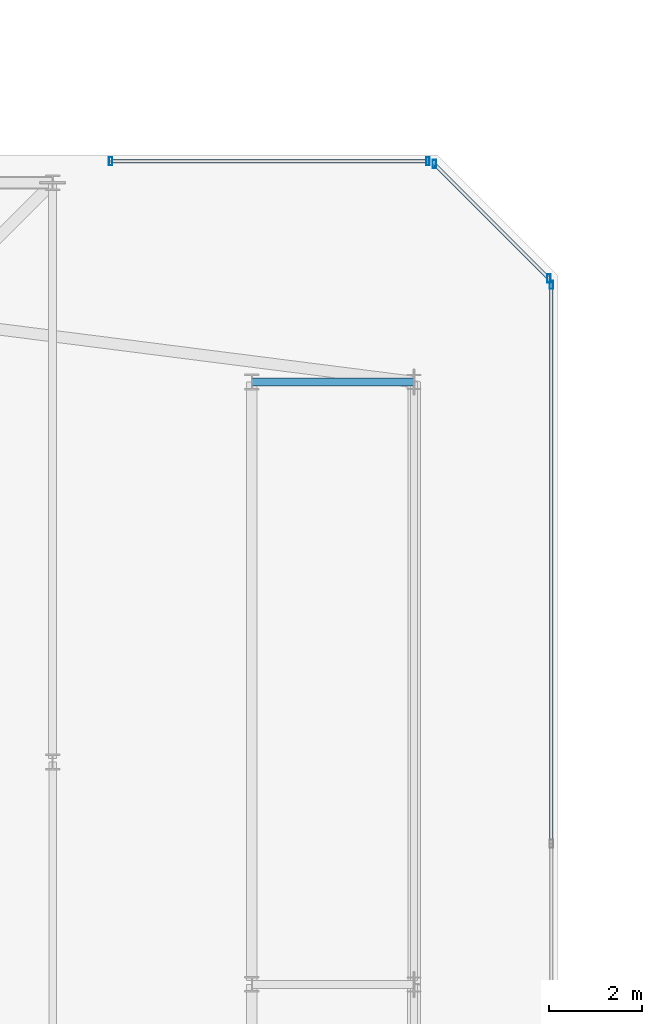
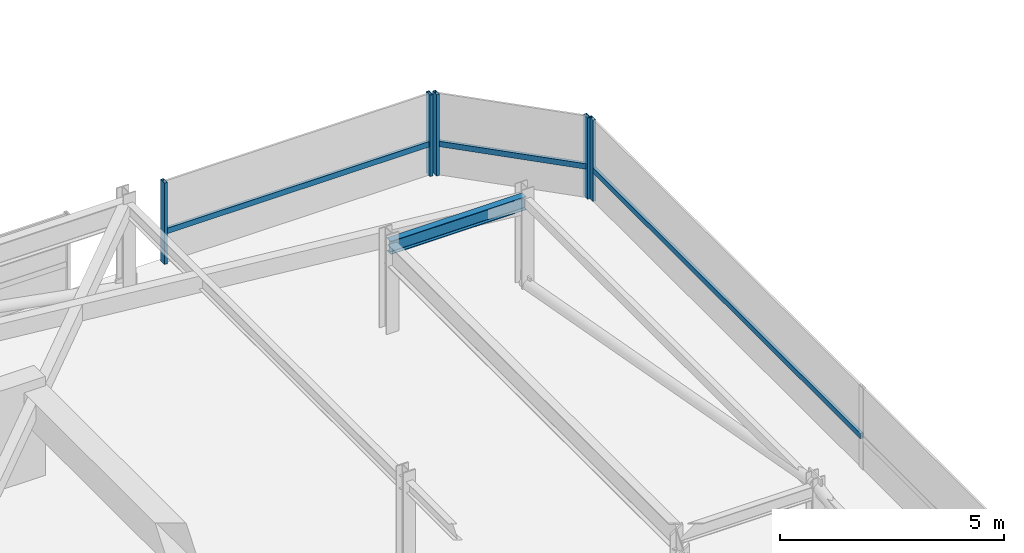
# One storey, part 25 of 42: 8 members, 1 beam, 3 elements without a shape of their own.
"""IFC4 building model written with IfcOpenShell, lengths in metres."""

import ifcopenshell
import ifcopenshell.guid

model = None  # the IFC model being written
_history = None  # IfcOwnerHistory: only IFC2X3 demands one
_inside = {}  # id of a spatial element -> (the spatial element, [elements in it])
_under = {}  # id of a project, library or spatial element -> (it, [spatial elements below it])
_declared = {}  # id of a project -> (the project, [libraries it declares])
_typed = {}  # id of a type object -> (the type object, [elements of that type])
_made_of = {}  # id of a material, layer set ... -> (it, [elements and type objects made of it])


def new_model(schema):
    """Start an empty IFC model of exactly this schema.

    Asked for "IFC4X3", IfcOpenShell would pick the latest addendum, in which some entities
    have other attributes; the version numbers below select the first issue.
    IFC2X3 requires an IfcOwnerHistory on every rooted entity: one is made here for all.
    """
    global model, _history
    if schema == "IFC4X3":
        model = ifcopenshell.file(schema_version=(4, 3, 0, 0))
    else:
        model = ifcopenshell.file(schema=schema)
    _inside.clear()
    _under.clear()
    _declared.clear()
    _typed.clear()
    _made_of.clear()
    _history = None
    if model.schema == "IFC2X3":
        org = make("IfcOrganization", Name="unknown")
        user = make(
            "IfcPersonAndOrganization",
            ThePerson=make("IfcPerson", FamilyName="unknown"),
            TheOrganization=org,
        )
        app = make(
            "IfcApplication",
            ApplicationDeveloper=org,
            Version="unknown",
            ApplicationFullName="unknown",
            ApplicationIdentifier="unknown",
        )
        _history = make(
            "IfcOwnerHistory",
            OwningUser=user,
            OwningApplication=app,
            ChangeAction="ADDED",
            CreationDate=0,
        )
    return model


def make(cls, **values):
    """One entity of the class cls with the attributes given. An attribute that is None is left unset."""
    return model.create_entity(
        cls, **{name: value for name, value in values.items() if value is not None}
    )


def rooted(cls, **values):
    """An entity with a GlobalId (a new one), such as an element, a storey or a relation."""
    return make(cls, GlobalId=ifcopenshell.guid.new(), OwnerHistory=_history, **values)


def si_unit(unit_type, name, prefix=None):
    """IfcSIUnit, for example si_unit("LENGTHUNIT", "METRE", prefix="MILLI")."""
    return make("IfcSIUnit", UnitType=unit_type, Prefix=prefix, Name=name)


def assignment(units):
    """IfcUnitAssignment: the units of a project."""
    return None if units is None else make("IfcUnitAssignment", Units=units)


def point(xyz):
    """IfcCartesianPoint."""
    return None if xyz is None else make("IfcCartesianPoint", Coordinates=xyz)


def direction(xyz):
    """IfcDirection."""
    return None if xyz is None else make("IfcDirection", DirectionRatios=xyz)


def frame(location, z_axis=None, x_axis=None):
    """IfcAxis2Placement3D, a coordinate frame: its origin and axes. An axis left out is left unset."""
    return make(
        "IfcAxis2Placement3D",
        Location=point(location),
        Axis=direction(z_axis),
        RefDirection=direction(x_axis),
    )


def frame_2d(location, x_axis=None):
    """IfcAxis2Placement2D, a coordinate frame in the plane: its origin and x axis."""
    return make(
        "IfcAxis2Placement2D", Location=point(location), RefDirection=direction(x_axis)
    )


def origin():
    """The frame at (0, 0, 0) with its axes left unset."""
    return frame((0.0, 0.0, 0.0))


def origin_2d():
    """The frame at (0, 0) in the plane with its x axis left unset."""
    return frame_2d((0.0, 0.0))


def place(relative_to, where):
    """IfcLocalPlacement: puts the frame where relative to a parent placement (None: the world)."""
    return make(
        "IfcLocalPlacement", PlacementRelTo=relative_to, RelativePlacement=where
    )


def context(
    kind, dimensions, precision=None, world=None, true_north=None, identifier=None
):
    """IfcGeometricRepresentationContext, for example the 3D "Model" context."""
    return make(
        "IfcGeometricRepresentationContext",
        ContextIdentifier=identifier,
        ContextType=kind,
        CoordinateSpaceDimension=dimensions,
        Precision=precision,
        WorldCoordinateSystem=world,
        TrueNorth=true_north,
    )


def subcontext(parent, identifier, kind, view, scale=None):
    """IfcGeometricRepresentationSubContext, for example "Body" below "Model"."""
    return make(
        "IfcGeometricRepresentationSubContext",
        ContextIdentifier=identifier,
        ContextType=kind,
        ParentContext=parent,
        TargetScale=scale,
        TargetView=view,
    )


def project(units=None, contexts=None):
    """IfcProject with its units and contexts."""
    return rooted(
        "IfcProject",
        Name="project",
        RepresentationContexts=contexts,
        UnitsInContext=assignment(units),
    )


def spatial(cls, under=None, at=None, **own):
    """A site, building, storey or space (cls), placed at a placement, below another one or the project."""
    s = rooted(cls, ObjectPlacement=at, **own)
    if under is not None:
        _under.setdefault(under.id(), (under, []))[1].append(s)
    return s


def profile(cls, at=None, kind="AREA", **sizes):
    """A parametric profile (cls). Its sizes go by their IFC names, for example OverallWidth=200.0."""
    return make(cls, ProfileType=kind, Position=at, **sizes)


def hollow_rectangle(**sizes):
    """IfcRectangleHollowProfileDef."""
    return profile("IfcRectangleHollowProfileDef", **sizes)


def i_section(**sizes):
    """IfcIShapeProfileDef."""
    return profile("IfcIShapeProfileDef", **sizes)


def extrude(swept, where, along, depth):
    """IfcExtrudedAreaSolid: the profile swept, set in the frame where, extruded along a direction by depth."""
    return make(
        "IfcExtrudedAreaSolid",
        SweptArea=swept,
        Position=where,
        ExtrudedDirection=direction(along),
        Depth=depth,
    )


def shape(context_of_items, identifier, shape_type, items):
    """IfcShapeRepresentation: the items that make up one representation, for example the "Body"."""
    return make(
        "IfcShapeRepresentation",
        ContextOfItems=context_of_items,
        RepresentationIdentifier=identifier,
        RepresentationType=shape_type,
        Items=items,
    )


def material(Name=None, Category=None):
    """IfcMaterial."""
    return make("IfcMaterial", Name=Name, Category=Category)


def material_profile(
    of_material, cross_section, Name=None, Category=None, Priority=None
):
    """IfcMaterialProfile: a cross section and its material."""
    return make(
        "IfcMaterialProfile",
        Name=Name,
        Material=of_material,
        Profile=cross_section,
        Priority=Priority,
        Category=Category,
    )


def profile_set(profiles, Name=None, composite=None):
    """IfcMaterialProfileSet."""
    return make(
        "IfcMaterialProfileSet",
        Name=Name,
        MaterialProfiles=profiles,
        CompositeProfile=composite,
    )


def made_of(thing, what):
    """Note that an element or type object is made of a material, layer set ...; save() writes the relation."""
    if what is not None:
        _made_of.setdefault(what.id(), (what, []))[1].append(thing)
    return thing


def type_object(cls, material=None, **own):
    """A type object (cls), such as IfcWallType, which elements share."""
    return made_of(rooted(cls, **own), material)


def element(
    cls,
    number,
    at=None,
    inside=None,
    cuts=None,
    type_object=None,
    material=None,
    context=None,
    identifier="Body",
    shape_type=None,
    held_by="IfcProductDefinitionShape",
    body=None,
    shapes=None,
    **own,
):
    """One element of the class cls, such as IfcWall. Its Tag is "e" and its number.

    at: its placement. inside: the storey or other place that contains it. cuts: it is an
    opening in that element (IfcRelVoidsElement). A single representation is given by context,
    identifier, shape_type and body (its items); several are given by shapes. held_by: the class
    of the entity that holds the representations. save() writes the other relations.
    """
    e = rooted(cls, Tag="e%d" % number, ObjectPlacement=at, **own)
    if body is not None:
        shapes = [shape(context, identifier, shape_type, body)]
    if shapes is not None:
        e.Representation = make(held_by, Representations=shapes)
    if inside is not None:
        _inside.setdefault(inside.id(), (inside, []))[1].append(e)
    if cuts is not None:
        rooted(
            "IfcRelVoidsElement", RelatingBuildingElement=cuts, RelatedOpeningElement=e
        )
    if type_object is not None:
        _typed.setdefault(type_object.id(), (type_object, []))[1].append(e)
    return made_of(e, material)


def aggregate(whole, parts):
    """IfcRelAggregates: a whole, such as a stair, and the parts it consists of."""
    return rooted("IfcRelAggregates", RelatingObject=whole, RelatedObjects=parts)


def save(model, path):
    """Write the relations noted so far, then the file.

    IfcRelAggregates (storeys below a building ...), IfcRelContainedInSpatialStructure (elements
    in a storey), IfcRelDefinesByType, IfcRelAssociatesMaterial and IfcRelDeclares: one each for
    every whole, place, type object, material and project.
    """
    for whole, parts in _under.values():
        aggregate(whole, parts)
    for where, things in _inside.values():
        rooted(
            "IfcRelContainedInSpatialStructure",
            RelatedElements=things,
            RelatingStructure=where,
        )
    for kind, things in _typed.values():
        rooted("IfcRelDefinesByType", RelatedObjects=things, RelatingType=kind)
    for what, things in _made_of.values():
        rooted("IfcRelAssociatesMaterial", RelatedObjects=things, RelatingMaterial=what)
    for by, libraries in _declared.values():
        rooted("IfcRelDeclares", RelatingContext=by, RelatedDefinitions=libraries)
    model.write(path)


model = new_model("IFC4")

# Units and contexts
model_context = context("Model", 3, precision=1e-05, world=origin(), true_north=direction((0.0, 1.0)))
body_context = subcontext(model_context, "Body", "Model", "MODEL_VIEW")
ifc_project = project(units=[si_unit("LENGTHUNIT", "METRE"), si_unit("AREAUNIT", "SQUARE_METRE"), si_unit("VOLUMEUNIT", "CUBIC_METRE"), si_unit("PLANEANGLEUNIT", "RADIAN"), si_unit("MASSUNIT", "GRAM", prefix="KILO")], contexts=[model_context])

# Site, building, storey
site_placement = place(None, origin())
site = spatial("IfcSite", under=ifc_project, at=site_placement, CompositionType="ELEMENT")
building_placement = place(site_placement, origin())
building = spatial("IfcBuilding", under=site, at=building_placement, Name="Thornwick Lancets Civic Towers", CompositionType="ELEMENT")
storey_placement = place(building_placement, frame((0.0, 0.0, 286.800048828125)))
storey = spatial("IfcBuildingStorey", under=building, at=storey_placement, Name="C03", CompositionType="ELEMENT", Elevation=286.800048828125)

# Beam
ifc_material_1 = material(Name="Steel S355JR", Category="steel")
ifc_material_profile_1 = material_profile(ifc_material_1, i_section(OverallWidth=0.173095703125, OverallDepth=0.36328125, WebThickness=0.009033203125, FlangeThickness=0.015625, FilletRadius=0.01025390625, at=origin_2d()), Name="UKB 356x171x67")
ifc_profile_set_1 = profile_set([ifc_material_profile_1], Name="Steel S355JR")
beam_type = type_object("IfcBeamType", Name="BM_JOIST_356_67", PredefinedType="JOIST", material=ifc_profile_set_1)
beam_placement = place(storey_placement, frame((42.800048828125, 40.0, 2.25830078125), z_axis=(1.0, 0.0, 0.0), x_axis=(0.0, 1.0, 0.0)))
element("IfcBeam", 1, at=beam_placement, inside=storey, type_object=beam_type, Name="BM-RAD-C03-A06", PredefinedType="JOIST", context=body_context, shape_type="SweptSolid", body=[
    extrude(i_section(OverallWidth=0.173095703125, OverallDepth=0.36328125, WebThickness=0.009033203125, FlangeThickness=0.015625, FilletRadius=0.01025390625, at=origin_2d()), origin(), (0.0, 0.0, 1.0), 3.5),
])

# Curtain wall, member
ifc_material_2 = material(Name="Crown ring acoustic-louvre and glazing screen wall", Category="glass")
curtain_wall_type = type_object("IfcCurtainWallType", Name="CW_SYS_07", PredefinedType="NOTDEFINED", material=ifc_material_2)
curtain_wall_1_placement = place(storey_placement, origin())
curtain_wall_1 = element("IfcCurtainWall", 2, at=curtain_wall_1_placement, inside=storey, type_object=curtain_wall_type, Name="C03 Curtain Wall CW-C03-A-E2", PredefinedType="NOTDEFINED")
ifc_material_3 = material(Name="Thermally broken bronze aluminium S355", Category="steel")
ifc_material_profile_2 = material_profile(ifc_material_3, hollow_rectangle(XDim=0.074951171875, YDim=0.179931640625, WallThickness=0.006103515625, at=origin_2d()), Name="RHS 180x75x6")
ifc_profile_set_2 = profile_set([ifc_material_profile_2], Name="Thermally broken bronze aluminium S355")
member_type_1 = type_object("IfcMemberType", Name="CW_MUL_180", PredefinedType="MULLION", material=ifc_profile_set_2)
member_1_placement = place(storey_placement, frame((49.2646484375, 42.101318359375, 0.0), z_axis=(0.0, 0.0, 1.0), x_axis=(1.0, 0.0, 0.0)))
member_1 = element("IfcMember", 3, at=member_1_placement, type_object=member_type_1, Name="CW-C03-A-E2 Mullion 3", PredefinedType="MULLION", context=body_context, shape_type="SweptSolid", body=[
    extrude(hollow_rectangle(XDim=0.074951171875, YDim=0.179931640625, WallThickness=0.006103515625, at=origin_2d()), origin(), (0.0, 0.0, 1.0), 2.219970703125),
])

# Curtain wall, members
curtain_wall_2_placement = place(storey_placement, origin())
curtain_wall_2 = element("IfcCurtainWall", 4, at=curtain_wall_2_placement, inside=storey, type_object=curtain_wall_type, Name="C03 Curtain Wall CW-C03-A-E3", PredefinedType="NOTDEFINED")
member_2_placement = place(storey_placement, frame((49.2080078125, 42.238037109375, 0.0), z_axis=(0.0, 0.0, 1.0), x_axis=(1.0, 0.0, 0.0)))
member_2 = element("IfcMember", 5, at=member_2_placement, type_object=member_type_1, Name="CW-C03-A-E3 Mullion 0", PredefinedType="MULLION", context=body_context, shape_type="SweptSolid", body=[
    extrude(hollow_rectangle(XDim=0.074951171875, YDim=0.179931640625, WallThickness=0.006103515625, at=origin_2d()), origin(), (0.0, 0.0, 1.0), 2.219970703125),
])
member_3_placement = place(storey_placement, frame((46.738037109375, 44.7080078125, 0.0), z_axis=(0.0, 0.0, 1.0), x_axis=(1.0, 0.0, 0.0)))
member_3 = element("IfcMember", 6, at=member_3_placement, type_object=member_type_1, Name="CW-C03-A-E3 Mullion 1", PredefinedType="MULLION", context=body_context, shape_type="SweptSolid", body=[
    extrude(hollow_rectangle(XDim=0.074951171875, YDim=0.179931640625, WallThickness=0.006103515625, at=origin_2d()), origin(), (0.0, 0.0, 1.0), 2.219970703125),
])

curtain_wall_3_placement = place(storey_placement, origin())
curtain_wall_3 = element("IfcCurtainWall", 7, at=curtain_wall_3_placement, inside=storey, type_object=curtain_wall_type, Name="C03 Curtain Wall CW-C03-A-E4-S1", PredefinedType="NOTDEFINED")
member_4_placement = place(storey_placement, frame((46.601318359375, 44.7646484375, 0.0), z_axis=(0.0, 0.0, 1.0), x_axis=(1.0, 0.0, 0.0)))
member_4 = element("IfcMember", 8, at=member_4_placement, type_object=member_type_1, Name="CW-C03-A-E4-S1 Mullion 0", PredefinedType="MULLION", context=body_context, shape_type="SweptSolid", body=[
    extrude(hollow_rectangle(XDim=0.074951171875, YDim=0.179931640625, WallThickness=0.006103515625, at=origin_2d()), origin(), (0.0, 0.0, 1.0), 2.219970703125),
])
member_5_placement = place(storey_placement, frame((39.75, 44.7646484375, 0.0), z_axis=(0.0, 0.0, 1.0), x_axis=(1.0, 0.0, 0.0)))
member_5 = element("IfcMember", 9, at=member_5_placement, type_object=member_type_1, Name="CW-C03-A-E4-S1 Mullion 1", PredefinedType="MULLION", context=body_context, shape_type="SweptSolid", body=[
    extrude(hollow_rectangle(XDim=0.074951171875, YDim=0.179931640625, WallThickness=0.006103515625, at=origin_2d()), origin(), (0.0, 0.0, 1.0), 2.219970703125),
])

# Member
ifc_material_profile_3 = material_profile(ifc_material_3, hollow_rectangle(XDim=0.074951171875, YDim=0.14990234375, WallThickness=0.0048828125, at=origin_2d()), Name="RHS 150x75x5")
ifc_profile_set_3 = profile_set([ifc_material_profile_3], Name="Thermally broken bronze aluminium S355")
member_type_2 = type_object("IfcMemberType", Name="CW_TRN_150", PredefinedType="USERDEFINED", material=ifc_profile_set_3)
member_6_placement = place(storey_placement, frame((49.2646484375, 30.0537109375, 0.849853515625), z_axis=(0.0, 1.0, 0.0), x_axis=(-1.0, 0.0, 0.0)))
member_6 = element("IfcMember", 10, at=member_6_placement, type_object=member_type_2, Name="CW-C03-A-E2 Transom 2", ObjectType="TRANSOM", PredefinedType="USERDEFINED", context=body_context, shape_type="SweptSolid", body=[
    extrude(hollow_rectangle(XDim=0.074951171875, YDim=0.14990234375, WallThickness=0.0048828125, at=origin_2d()), origin(), (0.0, 0.0, 1.0), 12.027587890625),
])

aggregate(curtain_wall_1, [member_1, member_6])

member_7_placement = place(storey_placement, frame((49.19384765625, 42.252197265625, 0.849853515625), z_axis=(-0.707106781187, 0.707106781187, 0.0), x_axis=(-0.707106781187, -0.707106781187, 0.0)))
member_7 = element("IfcMember", 11, at=member_7_placement, type_object=member_type_2, Name="CW-C03-A-E3 Transom 0", ObjectType="TRANSOM", PredefinedType="USERDEFINED", context=body_context, shape_type="SweptSolid", body=[
    extrude(hollow_rectangle(XDim=0.074951171875, YDim=0.14990234375, WallThickness=0.0048828125, at=origin_2d()), origin(), (0.0, 0.0, 1.0), 3.453125),
])

aggregate(curtain_wall_2, [member_2, member_3, member_7])

member_8_placement = place(storey_placement, frame((46.581298828125, 44.7646484375, 0.849853515625), z_axis=(-1.0, 0.0, 0.0), x_axis=(0.0, -1.0, 0.0)))
member_8 = element("IfcMember", 12, at=member_8_placement, type_object=member_type_2, Name="CW-C03-A-E4-S1 Transom 0", ObjectType="TRANSOM", PredefinedType="USERDEFINED", context=body_context, shape_type="SweptSolid", body=[
    extrude(hollow_rectangle(XDim=0.074951171875, YDim=0.14990234375, WallThickness=0.0048828125, at=origin_2d()), origin(), (0.0, 0.0, 1.0), 6.811279296875),
])

aggregate(curtain_wall_3, [member_4, member_5, member_8])

save(model, "model.ifc")
